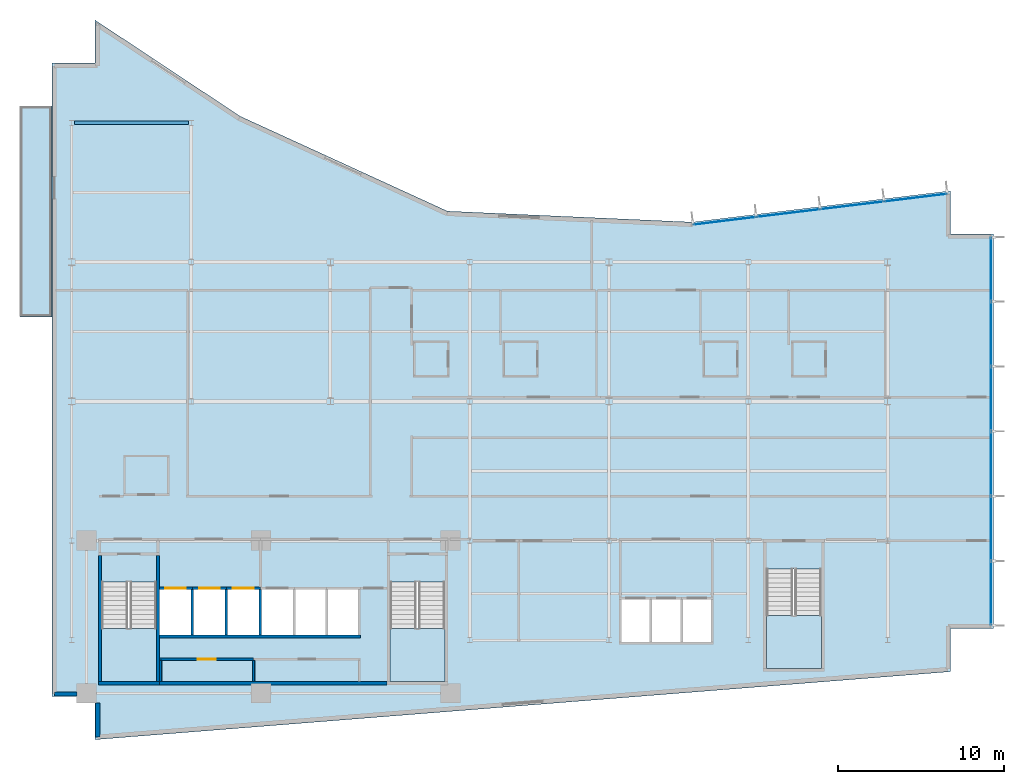
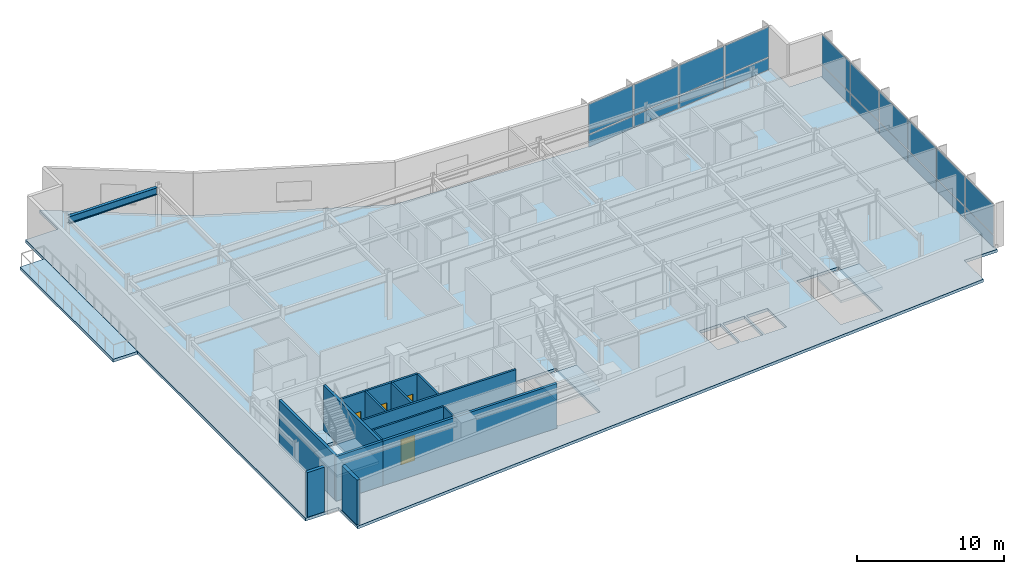
# One storey, part 9 of 18: 20 plates, 16 walls, 5 slabs, 4 doors, 1 beam, 4 openings, 5 elements without a shape of their own.
"""IFC4 building model written with IfcOpenShell, lengths in metres."""

from ifc_helpers import new_model, si_unit, direction, frame, frame_2d, origin, origin_2d, place, context, subcontext, project, spatial, polyline, rectangle, i_section, outline, extrude, material, layer, layer_set, material_profile, profile_set, type_object, element, fill, aggregate, save


model = new_model("IFC4")

# Units and contexts
model_context = context("Model", 3, precision=1e-05, world=origin(), true_north=direction((0.0, 1.0)))
body_context = subcontext(model_context, "Body", "Model", "MODEL_VIEW")
ifc_project = project(units=[si_unit("LENGTHUNIT", "METRE"), si_unit("AREAUNIT", "SQUARE_METRE"), si_unit("VOLUMEUNIT", "CUBIC_METRE"), si_unit("PLANEANGLEUNIT", "RADIAN"), si_unit("MASSUNIT", "GRAM", prefix="KILO")], contexts=[model_context])

# Site, building, storey
site_placement = place(None, origin())
site = spatial("IfcSite", under=ifc_project, at=site_placement, CompositionType="ELEMENT")
building_placement = place(site_placement, origin())
building = spatial("IfcBuilding", under=site, at=building_placement, Name="Varnakote Quay Hospital", CompositionType="ELEMENT")
storey_placement = place(building_placement, frame((0.0, 0.0, 142.85009765625)))
storey = spatial("IfcBuildingStorey", under=building, at=storey_placement, Name="L35", CompositionType="ELEMENT", Elevation=142.85009765625)

# Beam
ifc_material_1 = material(Name="Structural steel AS/NZS 3679.1 Grade 350 L0 (fy 340 MPa)", Category="steel")
ifc_material_profile = material_profile(ifc_material_1, i_section(OverallWidth=0.22802734375, OverallDepth=0.60205078125, WebThickness=0.010498046875, FlangeThickness=0.014892578125, FilletRadius=0.013916015625, at=origin_2d()), Name="610UB101")
ifc_profile_set = profile_set([ifc_material_profile], Name="Structural steel AS/NZS 3679.1 Grade 350 L0 (fy 340 MPa)")
beam_type = type_object("IfcBeamType", Name="BM-STL-610UB101", PredefinedType="BEAM", material=ifc_profile_set)
beam_placement = place(storey_placement, frame((1.353515625, 37.199951171875, 3.408935546875), z_axis=(1.0, 0.0, 0.0), x_axis=(0.0, 1.0, 0.0)))
element("IfcBeam", 1, at=beam_placement, inside=storey, type_object=beam_type, Name="L35 Primary Floor Beam", PredefinedType="BEAM", context=body_context, shape_type="SweptSolid", body=[
    extrude(i_section(OverallWidth=0.22802734375, OverallDepth=0.60205078125, WebThickness=0.010498046875, FlangeThickness=0.014892578125, FilletRadius=0.013916015625, at=origin_2d()), origin(), (0.0, 0.0, 1.0), 6.89306640625),
])

# Curtain wall, plates
ifc_material_2 = material(Name="Anodised aluminium 6063-T6 Bronze", Category="aluminium")
ifc_layer_1 = layer(ifc_material_2, 0.205078125)
ifc_layer_set_1 = layer_set([ifc_layer_1], Name="Anodised aluminium 6063-T6 Bronze")
curtain_wall_type = type_object("IfcCurtainWallType", Name="CW-SYS-3", PredefinedType="NOTDEFINED", material=ifc_layer_set_1)
curtain_wall_1_placement = place(storey_placement, origin())
curtain_wall_1 = element("IfcCurtainWall", 2, at=curtain_wall_1_placement, inside=storey, type_object=curtain_wall_type, Name="L35 Unitised Bronze Curtain Wall 1", PredefinedType="NOTDEFINED")
ifc_material_3 = material(Name="Double-glazed low-E solar glass", Category="glass")
ifc_layer_2 = layer(ifc_material_3, 0.028076171875)
ifc_layer_set_2 = layer_set([ifc_layer_2], Name="Double-glazed low-E solar glass")
plate_type = type_object("IfcPlateType", Name="CW-PNL-GLZ-28", PredefinedType="CURTAIN_PANEL", material=ifc_layer_set_2)
plate_1_placement = place(storey_placement, frame((56.639892578125, 8.83544921875, 0.07470703125), z_axis=(0.0, 0.0, 1.0), x_axis=(0.0, 1.0, 0.0)))
plate_1 = element("IfcPlate", 3, at=plate_1_placement, type_object=plate_type, Name="-3-L35-1 panel 1.1", PredefinedType="CURTAIN_PANEL", context=body_context, shape_type="SweptSolid", body=[
    extrude(rectangle(XDim=3.80078125, YDim=0.028076171875, at=origin_2d()), origin(), (0.0, 0.0, 1.0), 0.987548828125),
])
plate_2_placement = place(storey_placement, frame((56.639892578125, 8.83544921875, 1.137451171875), z_axis=(0.0, 0.0, 1.0), x_axis=(0.0, 1.0, 0.0)))
plate_2 = element("IfcPlate", 4, at=plate_2_placement, type_object=plate_type, Name="-3-L35-1 panel 1.2", PredefinedType="CURTAIN_PANEL", context=body_context, shape_type="SweptSolid", body=[
    extrude(rectangle(XDim=3.80078125, YDim=0.028076171875, at=origin_2d()), origin(), (0.0, 0.0, 1.0), 2.49755859375),
])
plate_3_placement = place(storey_placement, frame((56.639892578125, 12.72998046875, 0.07470703125), z_axis=(0.0, 0.0, 1.0), x_axis=(0.0, 1.0, 0.0)))
plate_3 = element("IfcPlate", 5, at=plate_3_placement, type_object=plate_type, Name="-3-L35-1 panel 2.1", PredefinedType="CURTAIN_PANEL", context=body_context, shape_type="SweptSolid", body=[
    extrude(rectangle(XDim=3.83837890625, YDim=0.028076171875, at=origin_2d()), origin(), (0.0, 0.0, 1.0), 0.987548828125),
])
plate_4_placement = place(storey_placement, frame((56.639892578125, 12.72998046875, 1.137451171875), z_axis=(0.0, 0.0, 1.0), x_axis=(0.0, 1.0, 0.0)))
plate_4 = element("IfcPlate", 6, at=plate_4_placement, type_object=plate_type, Name="-3-L35-1 panel 2.2", PredefinedType="CURTAIN_PANEL", context=body_context, shape_type="SweptSolid", body=[
    extrude(rectangle(XDim=3.83837890625, YDim=0.028076171875, at=origin_2d()), origin(), (0.0, 0.0, 1.0), 2.49755859375),
])
plate_5_placement = place(storey_placement, frame((56.639892578125, 16.643310546875, 0.07470703125), z_axis=(0.0, 0.0, 1.0), x_axis=(0.0, 1.0, 0.0)))
plate_5 = element("IfcPlate", 7, at=plate_5_placement, type_object=plate_type, Name="-3-L35-1 panel 3.1", PredefinedType="CURTAIN_PANEL", context=body_context, shape_type="SweptSolid", body=[
    extrude(rectangle(XDim=3.83837890625, YDim=0.028076171875, at=origin_2d()), origin(), (0.0, 0.0, 1.0), 0.987548828125),
])
plate_6_placement = place(storey_placement, frame((56.639892578125, 16.643310546875, 1.137451171875), z_axis=(0.0, 0.0, 1.0), x_axis=(0.0, 1.0, 0.0)))
plate_6 = element("IfcPlate", 8, at=plate_6_placement, type_object=plate_type, Name="-3-L35-1 panel 3.2", PredefinedType="CURTAIN_PANEL", context=body_context, shape_type="SweptSolid", body=[
    extrude(rectangle(XDim=3.83837890625, YDim=0.028076171875, at=origin_2d()), origin(), (0.0, 0.0, 1.0), 2.49755859375),
])
plate_7_placement = place(storey_placement, frame((56.639892578125, 20.556640625, 0.07470703125), z_axis=(0.0, 0.0, 1.0), x_axis=(0.0, 1.0, 0.0)))
plate_7 = element("IfcPlate", 9, at=plate_7_placement, type_object=plate_type, Name="-3-L35-1 panel 4.1", PredefinedType="CURTAIN_PANEL", context=body_context, shape_type="SweptSolid", body=[
    extrude(rectangle(XDim=3.83837890625, YDim=0.028076171875, at=origin_2d()), origin(), (0.0, 0.0, 1.0), 0.987548828125),
])
plate_8_placement = place(storey_placement, frame((56.639892578125, 20.556640625, 1.137451171875), z_axis=(0.0, 0.0, 1.0), x_axis=(0.0, 1.0, 0.0)))
plate_8 = element("IfcPlate", 10, at=plate_8_placement, type_object=plate_type, Name="-3-L35-1 panel 4.2", PredefinedType="CURTAIN_PANEL", context=body_context, shape_type="SweptSolid", body=[
    extrude(rectangle(XDim=3.83837890625, YDim=0.028076171875, at=origin_2d()), origin(), (0.0, 0.0, 1.0), 2.49755859375),
])
plate_9_placement = place(storey_placement, frame((56.639892578125, 24.469970703125, 0.07470703125), z_axis=(0.0, 0.0, 1.0), x_axis=(0.0, 1.0, 0.0)))
plate_9 = element("IfcPlate", 11, at=plate_9_placement, type_object=plate_type, Name="-3-L35-1 panel 5.1", PredefinedType="CURTAIN_PANEL", context=body_context, shape_type="SweptSolid", body=[
    extrude(rectangle(XDim=3.83837890625, YDim=0.028076171875, at=origin_2d()), origin(), (0.0, 0.0, 1.0), 0.987548828125),
])
plate_10_placement = place(storey_placement, frame((56.639892578125, 24.469970703125, 1.137451171875), z_axis=(0.0, 0.0, 1.0), x_axis=(0.0, 1.0, 0.0)))
plate_10 = element("IfcPlate", 12, at=plate_10_placement, type_object=plate_type, Name="-3-L35-1 panel 5.2", PredefinedType="CURTAIN_PANEL", context=body_context, shape_type="SweptSolid", body=[
    extrude(rectangle(XDim=3.83837890625, YDim=0.028076171875, at=origin_2d()), origin(), (0.0, 0.0, 1.0), 2.49755859375),
])
plate_11_placement = place(storey_placement, frame((56.639892578125, 28.364501953125, 0.07470703125), z_axis=(0.0, 0.0, 1.0), x_axis=(0.0, 1.0, 0.0)))
plate_11 = element("IfcPlate", 13, at=plate_11_placement, type_object=plate_type, Name="-3-L35-1 panel 6.1", PredefinedType="CURTAIN_PANEL", context=body_context, shape_type="SweptSolid", body=[
    extrude(rectangle(XDim=3.80078125, YDim=0.028076171875, at=origin_2d()), origin(), (0.0, 0.0, 1.0), 0.987548828125),
])
plate_12_placement = place(storey_placement, frame((56.639892578125, 28.364501953125, 1.137451171875), z_axis=(0.0, 0.0, 1.0), x_axis=(0.0, 1.0, 0.0)))
plate_12 = element("IfcPlate", 14, at=plate_12_placement, type_object=plate_type, Name="-3-L35-1 panel 6.2", PredefinedType="CURTAIN_PANEL", context=body_context, shape_type="SweptSolid", body=[
    extrude(rectangle(XDim=3.80078125, YDim=0.028076171875, at=origin_2d()), origin(), (0.0, 0.0, 1.0), 2.49755859375),
])
aggregate(curtain_wall_1, [plate_1, plate_2, plate_3, plate_4, plate_5, plate_6, plate_7, plate_8, plate_9, plate_10, plate_11, plate_12])

curtain_wall_2_placement = place(storey_placement, origin())
curtain_wall_2 = element("IfcCurtainWall", 15, at=curtain_wall_2_placement, inside=storey, type_object=curtain_wall_type, Name="L35 Unitised Bronze Curtain Wall 2", PredefinedType="NOTDEFINED")
plate_13_placement = place(storey_placement, frame((52.09521484375, 32.68359375, 0.07470703125), z_axis=(0.0, 0.0, 1.0), x_axis=(-0.992734295067, -0.12032713492, 0.0)))
plate_13 = element("IfcPlate", 16, at=plate_13_placement, type_object=plate_type, Name="-3-L35-2 panel 1.1", PredefinedType="CURTAIN_PANEL", context=body_context, shape_type="SweptSolid", body=[
    extrude(rectangle(XDim=3.76806640625, YDim=0.028076171875, at=origin_2d()), origin(), (0.0, 0.0, 1.0), 0.987548828125),
])
plate_14_placement = place(storey_placement, frame((52.09521484375, 32.68359375, 1.137451171875), z_axis=(0.0, 0.0, 1.0), x_axis=(-0.992734295067, -0.12032713492, 0.0)))
plate_14 = element("IfcPlate", 17, at=plate_14_placement, type_object=plate_type, Name="-3-L35-2 panel 1.2", PredefinedType="CURTAIN_PANEL", context=body_context, shape_type="SweptSolid", body=[
    extrude(rectangle(XDim=3.76806640625, YDim=0.028076171875, at=origin_2d()), origin(), (0.0, 0.0, 1.0), 2.49755859375),
])
plate_15_placement = place(storey_placement, frame((48.26123046875, 32.218994140625, 0.07470703125), z_axis=(0.0, 0.0, 1.0), x_axis=(-0.992734295067, -0.12032713492, 0.0)))
plate_15 = element("IfcPlate", 18, at=plate_15_placement, type_object=plate_type, Name="-3-L35-2 panel 2.1", PredefinedType="CURTAIN_PANEL", context=body_context, shape_type="SweptSolid", body=[
    extrude(rectangle(XDim=3.8056640625, YDim=0.028076171875, at=origin_2d()), origin(), (0.0, 0.0, 1.0), 0.987548828125),
])
plate_16_placement = place(storey_placement, frame((48.26123046875, 32.218994140625, 1.137451171875), z_axis=(0.0, 0.0, 1.0), x_axis=(-0.992734295067, -0.12032713492, 0.0)))
plate_16 = element("IfcPlate", 19, at=plate_16_placement, type_object=plate_type, Name="-3-L35-2 panel 2.2", PredefinedType="CURTAIN_PANEL", context=body_context, shape_type="SweptSolid", body=[
    extrude(rectangle(XDim=3.8056640625, YDim=0.028076171875, at=origin_2d()), origin(), (0.0, 0.0, 1.0), 2.49755859375),
])
plate_17_placement = place(storey_placement, frame((44.40869140625, 31.751953125, 0.07470703125), z_axis=(0.0, 0.0, 1.0), x_axis=(-0.992734295067, -0.12032713492, 0.0)))
plate_17 = element("IfcPlate", 20, at=plate_17_placement, type_object=plate_type, Name="-3-L35-2 panel 3.1", PredefinedType="CURTAIN_PANEL", context=body_context, shape_type="SweptSolid", body=[
    extrude(rectangle(XDim=3.8056640625, YDim=0.028076171875, at=origin_2d()), origin(), (0.0, 0.0, 1.0), 0.987548828125),
])
plate_18_placement = place(storey_placement, frame((44.40869140625, 31.751953125, 1.137451171875), z_axis=(0.0, 0.0, 1.0), x_axis=(-0.992734295067, -0.12032713492, 0.0)))
plate_18 = element("IfcPlate", 21, at=plate_18_placement, type_object=plate_type, Name="-3-L35-2 panel 3.2", PredefinedType="CURTAIN_PANEL", context=body_context, shape_type="SweptSolid", body=[
    extrude(rectangle(XDim=3.8056640625, YDim=0.028076171875, at=origin_2d()), origin(), (0.0, 0.0, 1.0), 2.49755859375),
])
plate_19_placement = place(storey_placement, frame((40.574951171875, 31.287353515625, 0.07470703125), z_axis=(0.0, 0.0, 1.0), x_axis=(-0.992734295067, -0.12032713492, 0.0)))
plate_19 = element("IfcPlate", 22, at=plate_19_placement, type_object=plate_type, Name="-3-L35-2 panel 4.1", PredefinedType="CURTAIN_PANEL", context=body_context, shape_type="SweptSolid", body=[
    extrude(rectangle(XDim=3.76806640625, YDim=0.028076171875, at=origin_2d()), origin(), (0.0, 0.0, 1.0), 0.987548828125),
])
plate_20_placement = place(storey_placement, frame((40.574951171875, 31.287353515625, 1.137451171875), z_axis=(0.0, 0.0, 1.0), x_axis=(-0.992734295067, -0.12032713492, 0.0)))
plate_20 = element("IfcPlate", 23, at=plate_20_placement, type_object=plate_type, Name="-3-L35-2 panel 4.2", PredefinedType="CURTAIN_PANEL", context=body_context, shape_type="SweptSolid", body=[
    extrude(rectangle(XDim=3.76806640625, YDim=0.028076171875, at=origin_2d()), origin(), (0.0, 0.0, 1.0), 2.49755859375),
])
aggregate(curtain_wall_2, [plate_13, plate_14, plate_15, plate_16, plate_17, plate_18, plate_19, plate_20])

# Stair, slab
ifc_material_4 = material(Name="Concrete N40 (f'c 40 MPa)", Category="concrete")
stair_type = type_object("IfcStairType", Name="STR-CORE-1580", PredefinedType="HALF_TURN_STAIR", material=ifc_material_4)
stair_1_placement = place(storey_placement, origin())
stair_1 = element("IfcStair", 24, at=stair_1_placement, inside=storey, type_object=stair_type, Name="L35 Fire-Isolated Exit Stair ST-01", PredefinedType="HALF_TURN_STAIR")
ifc_material_5 = material(Name="Concrete N40 (f'c 40 MPa)", Category="concrete")
ifc_layer_3 = layer(ifc_material_5, 0.199951171875)
ifc_layer_set_3 = layer_set([ifc_layer_3], Name="Concrete N40 (f'c 40 MPa)")
slab_type_1 = type_object("IfcSlabType", Name="SLB-STAIR-LND-200", PredefinedType="LANDING", material=ifc_layer_set_3)
slab_1_placement = place(storey_placement, frame((0.0, 0.0, 1.77490234375)))
slab_1 = element("IfcSlab", 25, at=slab_1_placement, type_object=slab_type_1, Name="ST-01 landing 1", PredefinedType="LANDING", context=body_context, shape_type="SweptSolid", body=[
    extrude(outline(polyline([(3.0, 6.699951171875), (3.0, 3.5), (6.300048828125, 3.5), (6.300048828125, 6.699951171875), (3.0, 6.699951171875)])), origin(), (0.0, 0.0, 1.0), 0.199951171875),
])
aggregate(stair_1, [slab_1])

stair_2_placement = place(storey_placement, origin())
stair_2 = element("IfcStair", 26, at=stair_2_placement, inside=storey, type_object=stair_type, Name="L35 Fire-Isolated Exit Stair ST-02", PredefinedType="HALF_TURN_STAIR")
slab_2_placement = place(storey_placement, frame((0.0, 0.0, 1.77490234375)))
slab_2 = element("IfcSlab", 27, at=slab_2_placement, type_object=slab_type_1, Name="ST-02 landing 1", PredefinedType="LANDING", context=body_context, shape_type="SweptSolid", body=[
    extrude(outline(polyline([(20.39990234375, 6.699951171875), (20.39990234375, 3.5), (23.699951171875, 3.5), (23.699951171875, 6.699951171875), (20.39990234375, 6.699951171875)])), origin(), (0.0, 0.0, 1.0), 0.199951171875),
])
aggregate(stair_2, [slab_2])

stair_3_placement = place(storey_placement, origin())
stair_3 = element("IfcStair", 28, at=stair_3_placement, inside=storey, type_object=stair_type, Name="L35 Fire-Isolated Exit Stair ST-03", PredefinedType="HALF_TURN_STAIR")
slab_3_placement = place(storey_placement, frame((0.0, 0.0, 1.77490234375)))
slab_3 = element("IfcSlab", 29, at=slab_3_placement, type_object=slab_type_1, Name="ST-03 landing 1", PredefinedType="LANDING", context=body_context, shape_type="SweptSolid", body=[
    extrude(outline(polyline([(43.10009765625, 7.5), (43.10009765625, 4.300048828125), (46.39990234375, 4.300048828125), (46.39990234375, 7.5), (43.10009765625, 7.5)])), origin(), (0.0, 0.0, 1.0), 0.199951171875),
])
aggregate(stair_3, [slab_3])

# Slabs
ifc_material_6 = material(Name="Concrete N50 (f'c 50 MPa)", Category="concrete")
ifc_layer_4 = layer(ifc_material_6, 0.239990234375)
ifc_layer_set_4 = layer_set([ifc_layer_4], Name="Concrete N50 (f'c 50 MPa)")
slab_type_2 = type_object("IfcSlabType", Name="SLB-TERR-200", PredefinedType="FLOOR", material=ifc_layer_set_4)
slab_4_placement = place(storey_placement, frame((0.0, 0.0, -0.239990234375)))
element("IfcSlab", 30, at=slab_4_placement, inside=storey, type_object=slab_type_2, Name="L35 Waterfront Healing Terrace Slab", PredefinedType="FLOOR", context=body_context, shape_type="SweptSolid", body=[
    extrude(outline(polyline([(0.00390625, 25.5), (0.00390625, 38.199951171875), (-1.919921875, 38.199951171875), (-1.919921875, 25.5), (0.00390625, 25.5)])), origin(), (0.0, 0.0, 1.0), 0.239990234375),
])
ifc_material_7 = material(Name="Concrete N50 (f'c 50 MPa)", Category="concrete")
ifc_layer_5 = layer(ifc_material_7, 0.239990234375)
ifc_layer_set_5 = layer_set([ifc_layer_5], Name="Concrete N50 (f'c 50 MPa)")
slab_type_3 = type_object("IfcSlabType", Name="SLB-WARD-200", PredefinedType="FLOOR", material=ifc_layer_set_5)
slab_5_placement = place(storey_placement, frame((0.0, 0.0, -0.239990234375)))
element("IfcSlab", 31, at=slab_5_placement, inside=storey, type_object=slab_type_3, Name="L35 Primary Floor Slab", PredefinedType="FLOOR", context=body_context, shape_type="SweptSolid", body=[
    extrude(outline(polyline([(0.0, 2.60009765625), (2.60009765625, 2.60009765625), (2.60009765625, 0.0), (54.199951171875, 4.10009765625), (54.199951171875, 6.699951171875), (56.800048828125, 6.699951171875), (56.800048828125, 30.5), (54.199951171875, 30.5), (54.199951171875, 33.10009765625), (38.6240234375, 31.2119140625), (23.85595703125, 31.8740234375), (11.360107421875, 37.595947265625), (2.60009765625, 43.39990234375), (2.60009765625, 40.800048828125), (0.0, 40.800048828125), (0.0, 2.60009765625)]), holes=[polyline([(3.0, 3.5), (6.300048828125, 3.5), (6.300048828125, 9.49951171875), (3.0, 9.49951171875), (3.0, 3.5)]), polyline([(20.39990234375, 3.5), (23.699951171875, 3.5), (23.699951171875, 9.49951171875), (20.39990234375, 9.49951171875), (20.39990234375, 3.5)]), polyline([(43.10009765625, 4.300048828125), (46.39990234375, 4.300048828125), (46.39990234375, 10.29931640625), (43.10009765625, 10.29931640625), (43.10009765625, 4.300048828125)]), polyline([(6.5, 6.300048828125), (8.39990234375, 6.300048828125), (8.39990234375, 9.050048828125), (6.5, 9.050048828125), (6.5, 6.300048828125)]), polyline([(8.550048828125, 6.300048828125), (10.449951171875, 6.300048828125), (10.449951171875, 9.050048828125), (8.550048828125, 9.050048828125), (8.550048828125, 6.300048828125)]), polyline([(10.60009765625, 6.300048828125), (12.5, 6.300048828125), (12.5, 9.050048828125), (10.60009765625, 9.050048828125), (10.60009765625, 6.300048828125)]), polyline([(12.64990234375, 6.300048828125), (14.550048828125, 6.300048828125), (14.550048828125, 9.050048828125), (12.64990234375, 9.050048828125), (12.64990234375, 6.300048828125)]), polyline([(14.699951171875, 6.300048828125), (16.5, 6.300048828125), (16.5, 9.050048828125), (14.699951171875, 9.050048828125), (14.699951171875, 6.300048828125)]), polyline([(16.64990234375, 6.300048828125), (18.449951171875, 6.300048828125), (18.449951171875, 9.050048828125), (16.64990234375, 9.050048828125), (16.64990234375, 6.300048828125)]), polyline([(34.35009765625, 5.89990234375), (36.050048828125, 5.89990234375), (36.050048828125, 8.449951171875), (34.35009765625, 8.449951171875), (34.35009765625, 5.89990234375)]), polyline([(36.199951171875, 5.89990234375), (37.89990234375, 5.89990234375), (37.89990234375, 8.449951171875), (36.199951171875, 8.449951171875), (36.199951171875, 5.89990234375)]), polyline([(38.050048828125, 5.89990234375), (39.75, 5.89990234375), (39.75, 8.449951171875), (38.050048828125, 8.449951171875), (38.050048828125, 5.89990234375)])]), origin(), (0.0, 0.0, 1.0), 0.239990234375),
])

# Walls
ifc_material_8 = material(Name="Concrete N65 (f'c 65 MPa)", Category="concrete")
ifc_layer_6 = layer(ifc_material_8, 0.199951171875)
ifc_layer_set_6 = layer_set([ifc_layer_6], Name="Concrete N65 (f'c 65 MPa)")
wall_type_1 = type_object("IfcWallType", Name="WL-CORE-N65-200", PredefinedType="SHEAR", material=ifc_layer_set_6)
wall_1_placement = place(storey_placement, frame((6.5, 3.39990234375, 0.0), z_axis=(0.0, 0.0, 1.0), x_axis=(1.0, 0.0, 0.0)))
element("IfcWall", 32, at=wall_1_placement, inside=storey, type_object=wall_type_1, Name="L35 Rear Core South Shear Wall", PredefinedType="SHEAR", context=body_context, shape_type="SweptSolid", body=[
    extrude(rectangle(XDim=13.699951171875, YDim=0.199951171875, at=frame_2d((6.85009765625, 0.0))), origin(), (0.0, 0.0, 1.0), 3.7099609375),
])
ifc_material_9 = material(Name="Precast concrete N50 (f'c 50 MPa)", Category="concrete")
ifc_layer_7 = layer(ifc_material_9, 0.260009765625)
ifc_layer_set_7 = layer_set([ifc_layer_7], Name="Precast concrete N50 (f'c 50 MPa)")
wall_type_2 = type_object("IfcWallType", Name="WL-EXT-BRICK-260", PredefinedType="STANDARD", material=ifc_layer_set_7)
wall_2_placement = place(storey_placement, frame((2.760009765625, 2.215087890625, 0.0), z_axis=(0.0, 0.0, 1.0), x_axis=(0.0, -1.0, 0.0)))
element("IfcWall", 33, at=wall_2_placement, inside=storey, type_object=wall_type_2, Name="L35 Brick-Faced Precast Exterior Wall", PredefinedType="STANDARD", context=body_context, shape_type="SweptSolid", body=[
    extrude(rectangle(XDim=2.0419921875, YDim=0.260009765625, at=frame_2d((1.02099609375, 0.0))), origin(), (0.0, 0.0, 1.0), 3.7099609375),
])
wall_3_placement = place(storey_placement, frame((0.159912109375, 2.760009765625, 0.0), z_axis=(0.0, 0.0, 1.0), x_axis=(1.0, 0.0, 0.0)))
element("IfcWall", 34, at=wall_3_placement, inside=storey, type_object=wall_type_2, Name="L35 Brick-Faced Precast Exterior Wall", PredefinedType="STANDARD", context=body_context, shape_type="SweptSolid", body=[
    extrude(rectangle(XDim=1.35498046875, YDim=0.260009765625, at=frame_2d((0.677490234375, 0.0))), origin(), (0.0, 0.0, 1.0), 3.7099609375),
])
ifc_material_10 = material(Name="Concrete N50 (f'c 50 MPa)", Category="concrete")
ifc_layer_8 = layer(ifc_material_10, 0.14990234375)
ifc_layer_set_8 = layer_set([ifc_layer_8], Name="Concrete N50 (f'c 50 MPa)")
wall_type_3 = type_object("IfcWallType", Name="WL-SHAFT-N50-150", PredefinedType="SHEAR", material=ifc_layer_set_8)
for number, where, z_axis, x_axis, name in (
    (35, (8.47509765625, 6.300048828125, 0.0), (0.0, 0.0, 1.0), (0.0, 1.0, 0.0), "L35 LF-FF1 Hoistway Divider Wall"),
    (36, (10.52490234375, 6.300048828125, 0.0), (0.0, 0.0, 1.0), (0.0, 1.0, 0.0), "L35 LF-FF2 Hoistway Divider Wall"),
    (37, (12.574951171875, 6.300048828125, 0.0), (0.0, 0.0, 1.0), (0.0, 1.0, 0.0), "L35 LF-SV1 Hoistway Divider Wall"),
):
    element("IfcWall", number, at=place(storey_placement, frame(where, z_axis=z_axis, x_axis=x_axis)), inside=storey, type_object=wall_type_3, Name=name, PredefinedType="SHEAR", context=body_context, shape_type="SweptSolid", body=[
        extrude(rectangle(XDim=2.75, YDim=0.14990234375, at=frame_2d((1.375, 0.0))), origin(), (0.0, 0.0, 1.0), 3.7099609375),
    ])
ifc_material_11 = material(Name="Concrete N50 (f'c 50 MPa)", Category="concrete")
ifc_layer_9 = layer(ifc_material_11, 0.159912109375)
ifc_layer_set_9 = layer_set([ifc_layer_9], Name="Concrete N50 (f'c 50 MPa)")
wall_type_4 = type_object("IfcWallType", Name="WL-SHAFT-N50-160", PredefinedType="SHEAR", material=ifc_layer_set_9)
wall_4_placement = place(storey_placement, frame((6.5, 6.219970703125, 0.0), z_axis=(0.0, 0.0, 1.0), x_axis=(1.0, 0.0, 0.0)))
element("IfcWall", 38, at=wall_4_placement, inside=storey, type_object=wall_type_4, Name="L35 REAR Lift Bank Back Shear Wall", PredefinedType="SHEAR", context=body_context, shape_type="SweptSolid", body=[
    extrude(rectangle(XDim=12.110107421875, YDim=0.159912109375, at=frame_2d((6.05517578125, 0.0))), origin(), (0.0, 0.0, 1.0), 3.7099609375),
])

# Wall, opening, door
wall_5_placement = place(storey_placement, frame((6.5, 9.1298828125, 0.0), z_axis=(0.0, 0.0, 1.0), x_axis=(1.0, 0.0, 0.0)))
wall_5 = element("IfcWall", 39, at=wall_5_placement, inside=storey, type_object=wall_type_4, Name="L35 LF-FF1 Hoistway Front Wall", PredefinedType="SHEAR", context=body_context, shape_type="SweptSolid", body=[
    extrude(rectangle(XDim=1.97509765625, YDim=0.159912109375, at=frame_2d((0.987548828125, 0.0))), origin(), (0.0, 0.0, 1.0), 3.7099609375),
])
opening_1_placement = place(wall_5_placement, frame((0.324951171875, 0.0, 0.0)))
opening_1 = element("IfcOpeningElement", 40, at=opening_1_placement, cuts=wall_5, Name="Opening LD-FF1-L35", PredefinedType="OPENING", context=body_context, shape_type="SweptSolid", body=[
    extrude(rectangle(XDim=1.25, YDim=2.14990234375, at=frame_2d((0.625, 1.074951171875))), frame((0.0, 0.08984375, 0.0), z_axis=(0.0, -1.0, 0.0), x_axis=(1.0, 0.0, 0.0)), (0.0, 0.0, 1.0), 0.179931640625),
])
ifc_material_12 = material(Name="Stainless steel lift landing sliding door", Category="steel")
door_type_1 = type_object("IfcDoorType", Name="DR-LIFT-LD-1250x2150", OperationType="NOTDEFINED", PredefinedType="DOOR", material=ifc_material_12)
door_1_placement = place(opening_1_placement, origin())
door_1 = element("IfcDoor", 41, at=door_1_placement, inside=storey, type_object=door_type_1, Name="L35 LF-FF1 Lift Landing Sliding Door", OperationType="SLIDING_TO_LEFT", OverallHeight=2.14990234375, OverallWidth=1.25, PredefinedType="DOOR", context=body_context, shape_type="SweptSolid", body=[
    extrude(rectangle(XDim=1.25, YDim=2.14990234375, at=frame_2d((0.625, 1.074951171875))), frame((0.0, 0.02490234375, 0.0), z_axis=(0.0, -1.0, 0.0), x_axis=(1.0, 0.0, 0.0)), (0.0, 0.0, 1.0), 0.050048828125),
])
fill(opening_1, door_1)

wall_6_placement = place(storey_placement, frame((8.47509765625, 9.1298828125, 0.0), z_axis=(0.0, 0.0, 1.0), x_axis=(1.0, 0.0, 0.0)))
wall_6 = element("IfcWall", 42, at=wall_6_placement, inside=storey, type_object=wall_type_4, Name="L35 LF-FF2 Hoistway Front Wall", PredefinedType="SHEAR", context=body_context, shape_type="SweptSolid", body=[
    extrude(rectangle(XDim=2.0498046875, YDim=0.159912109375, at=frame_2d((1.02490234375, 0.0))), origin(), (0.0, 0.0, 1.0), 3.7099609375),
])
opening_2_placement = place(wall_6_placement, frame((0.39990234375, 0.0, 0.0)))
opening_2 = element("IfcOpeningElement", 43, at=opening_2_placement, cuts=wall_6, Name="Opening LD-FF2-L35", PredefinedType="OPENING", context=body_context, shape_type="SweptSolid", body=[
    extrude(rectangle(XDim=1.25, YDim=2.14990234375, at=frame_2d((0.625, 1.074951171875))), frame((0.0, 0.08984375, 0.0), z_axis=(0.0, -1.0, 0.0), x_axis=(1.0, 0.0, 0.0)), (0.0, 0.0, 1.0), 0.179931640625),
])
door_2_placement = place(opening_2_placement, origin())
door_2 = element("IfcDoor", 44, at=door_2_placement, inside=storey, type_object=door_type_1, Name="L35 LF-FF2 Lift Landing Sliding Door", OperationType="SLIDING_TO_LEFT", OverallHeight=2.14990234375, OverallWidth=1.25, PredefinedType="DOOR", context=body_context, shape_type="SweptSolid", body=[
    extrude(rectangle(XDim=1.25, YDim=2.14990234375, at=frame_2d((0.625, 1.074951171875))), frame((0.0, 0.02490234375, 0.0), z_axis=(0.0, -1.0, 0.0), x_axis=(1.0, 0.0, 0.0)), (0.0, 0.0, 1.0), 0.050048828125),
])
fill(opening_2, door_2)

wall_7_placement = place(storey_placement, frame((10.52490234375, 9.1298828125, 0.0), z_axis=(0.0, 0.0, 1.0), x_axis=(1.0, 0.0, 0.0)))
wall_7 = element("IfcWall", 45, at=wall_7_placement, inside=storey, type_object=wall_type_4, Name="L35 LF-SV1 Hoistway Front Wall", PredefinedType="SHEAR", context=body_context, shape_type="SweptSolid", body=[
    extrude(rectangle(XDim=2.050048828125, YDim=0.159912109375, at=frame_2d((1.02490234375, 0.0))), origin(), (0.0, 0.0, 1.0), 3.7099609375),
])
opening_3_placement = place(wall_7_placement, frame((0.39990234375, 0.0, 0.0)))
opening_3 = element("IfcOpeningElement", 46, at=opening_3_placement, cuts=wall_7, Name="Opening LD-SV1-L35", PredefinedType="OPENING", context=body_context, shape_type="SweptSolid", body=[
    extrude(rectangle(XDim=1.25, YDim=2.14990234375, at=frame_2d((0.625, 1.074951171875))), frame((0.0, 0.08984375, 0.0), z_axis=(0.0, -1.0, 0.0), x_axis=(1.0, 0.0, 0.0)), (0.0, 0.0, 1.0), 0.179931640625),
])
door_3_placement = place(opening_3_placement, origin())
door_3 = element("IfcDoor", 47, at=door_3_placement, inside=storey, type_object=door_type_1, Name="L35 LF-SV1 Lift Landing Sliding Door", OperationType="SLIDING_TO_LEFT", OverallHeight=2.14990234375, OverallWidth=1.25, PredefinedType="DOOR", context=body_context, shape_type="SweptSolid", body=[
    extrude(rectangle(XDim=1.25, YDim=2.14990234375, at=frame_2d((0.625, 1.074951171875))), frame((0.0, 0.02490234375, 0.0), z_axis=(0.0, -1.0, 0.0), x_axis=(1.0, 0.0, 0.0)), (0.0, 0.0, 1.0), 0.050048828125),
])
fill(opening_3, door_3)

# Walls
ifc_material_13 = material(Name="Concrete N50 (f'c 50 MPa)", Category="concrete")
ifc_layer_10 = layer(ifc_material_13, 0.199951171875)
ifc_layer_set_10 = layer_set([ifc_layer_10], Name="Concrete N50 (f'c 50 MPa)")
wall_type_5 = type_object("IfcWallType", Name="WL-SHAFT-N50-200", PredefinedType="SHEAR", material=ifc_layer_set_10)
wall_8_placement = place(storey_placement, frame((2.800048828125, 3.39990234375, 0.0), z_axis=(0.0, 0.0, 1.0), x_axis=(1.0, 0.0, 0.0)))
element("IfcWall", 48, at=wall_8_placement, inside=storey, type_object=wall_type_5, Name="L35 Stair ST1 South Shaft Wall", PredefinedType="SHEAR", context=body_context, shape_type="SweptSolid", body=[
    extrude(rectangle(XDim=3.699951171875, YDim=0.199951171875, at=frame_2d((1.85009765625, 0.0))), origin(), (0.0, 0.0, 1.0), 3.7099609375),
])
for number, where, z_axis, x_axis, name in (
    (49, (2.89990234375, 3.5, 0.0), (0.0, 0.0, 1.0), (0.0, 1.0, 0.0), "L35 Stair ST1 West Shaft Wall"),
    (50, (6.39990234375, 3.5, 0.0), (0.0, 0.0, 1.0), (0.0, 1.0, 0.0), "L35 Stair ST1 East Shaft Wall"),
):
    element("IfcWall", number, at=place(storey_placement, frame(where, z_axis=z_axis, x_axis=x_axis)), inside=storey, type_object=wall_type_5, Name=name, PredefinedType="SHEAR", context=body_context, shape_type="SweptSolid", body=[
        extrude(rectangle(XDim=7.60009765625, YDim=0.199951171875, at=frame_2d((3.800048828125, 0.0))), origin(), (0.0, 0.0, 1.0), 3.7099609375),
    ])
ifc_material_14 = material(Name="Smoke-proof clinical partition", Category="gypsum")
ifc_layer_11 = layer(ifc_material_14, 0.1201171875)
ifc_layer_set_11 = layer_set([ifc_layer_11], Name="Smoke-proof clinical partition")
wall_type_6 = type_object("IfcWallType", Name="WL-SMOKE-120", PredefinedType="PARTITIONING", material=ifc_layer_set_11)
for number, where, z_axis, x_axis, name in (
    (51, (6.56005859375, 3.52001953125, 0.0), (0.0, 0.0, 1.0), (0.0, 1.0, 0.0), "L35 Core South Service West Wall"),
    (52, (12.169921875, 3.52001953125, 0.0), (0.0, 0.0, 1.0), (0.0, 1.0, 0.0), "L35 Core South Service Divider"),
):
    element("IfcWall", number, at=place(storey_placement, frame(where, z_axis=z_axis, x_axis=x_axis)), inside=storey, type_object=wall_type_6, Name=name, PredefinedType="PARTITIONING", context=body_context, shape_type="SweptSolid", body=[
        extrude(rectangle(XDim=1.260009765625, YDim=0.1201171875, at=frame_2d((0.6298828125, 0.0))), origin(), (0.0, 0.0, 1.0), 3.7099609375),
    ])

# Wall, opening, door
ifc_material_15 = material(Name="Fire-rated clinical gypsum partition", Category="gypsum")
ifc_layer_12 = layer(ifc_material_15, 0.139892578125)
ifc_layer_set_12 = layer_set([ifc_layer_12], Name="Fire-rated clinical gypsum partition")
wall_type_7 = type_object("IfcWallType", Name="WL-WARD-140", PredefinedType="PARTITIONING", material=ifc_layer_set_12)
wall_9_placement = place(storey_placement, frame((6.5, 4.85009765625, 0.0), z_axis=(0.0, 0.0, 1.0), x_axis=(1.0, 0.0, 0.0)))
wall_9 = element("IfcWall", 53, at=wall_9_placement, inside=storey, type_object=wall_type_7, Name="L35 Core Clean Linen Store North Wall", PredefinedType="PARTITIONING", context=body_context, shape_type="SweptSolid", body=[
    extrude(rectangle(XDim=5.669921875, YDim=0.139892578125, at=frame_2d((2.8349609375, 0.0))), origin(), (0.0, 0.0, 1.0), 3.7099609375),
])
opening_4_placement = place(wall_9_placement, frame((2.284912109375, 0.0, 0.0)))
opening_4 = element("IfcOpeningElement", 54, at=opening_4_placement, cuts=wall_9, Name="Opening D-L35-CR01", PredefinedType="OPENING", context=body_context, shape_type="SweptSolid", body=[
    extrude(rectangle(XDim=1.10009765625, YDim=2.10009765625, at=frame_2d((0.550048828125, 1.050048828125))), frame((0.0, 0.079833984375, 0.0), z_axis=(0.0, -1.0, 0.0), x_axis=(1.0, 0.0, 0.0)), (0.0, 0.0, 1.0), 0.159912109375),
])
ifc_material_16 = material(Name="Acoustic timber clinical consult door", Category="wood")
door_type_2 = type_object("IfcDoorType", Name="DR-CLIN-FD30S-1100x2100", OperationType="NOTDEFINED", PredefinedType="DOOR", material=ifc_material_16)
door_4_placement = place(opening_4_placement, origin())
door_4 = element("IfcDoor", 55, at=door_4_placement, inside=storey, type_object=door_type_2, Name="L35 Core Clean Linen Store Door", OperationType="SINGLE_SWING_LEFT", OverallHeight=2.10009765625, OverallWidth=1.10009765625, PredefinedType="DOOR", context=body_context, shape_type="SweptSolid", body=[
    extrude(rectangle(XDim=1.10009765625, YDim=2.10009765625, at=frame_2d((0.550048828125, 1.050048828125))), frame((0.0, 0.02490234375, 0.0), z_axis=(0.0, -1.0, 0.0), x_axis=(1.0, 0.0, 0.0)), (0.0, 0.0, 1.0), 0.050048828125),
])
fill(opening_4, door_4)

save(model, "model.ifc")
